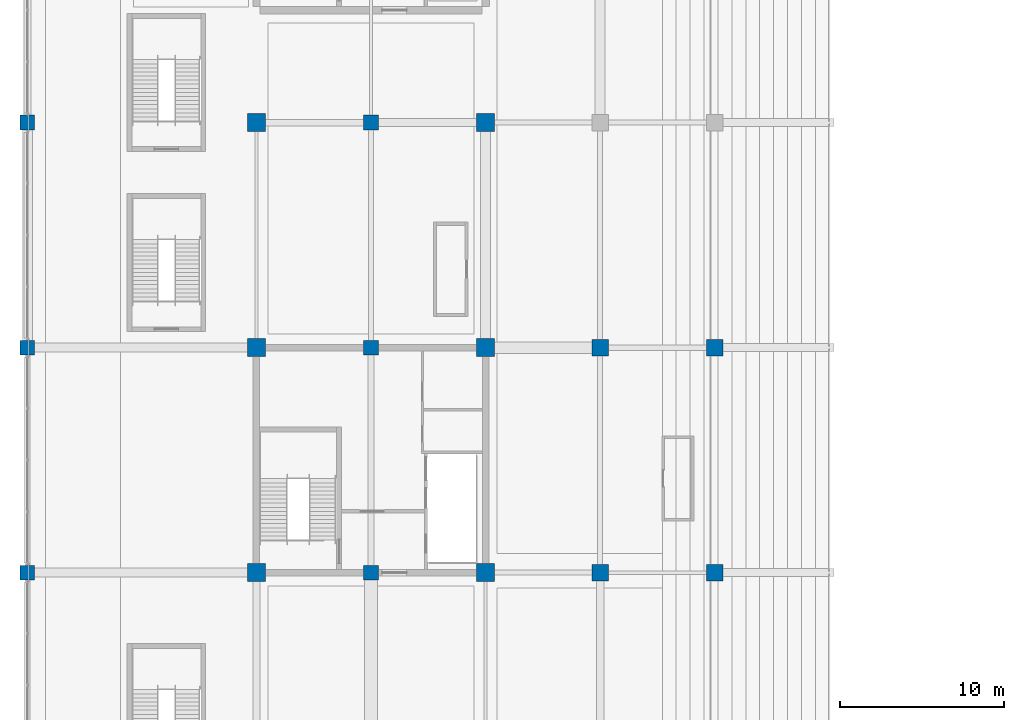
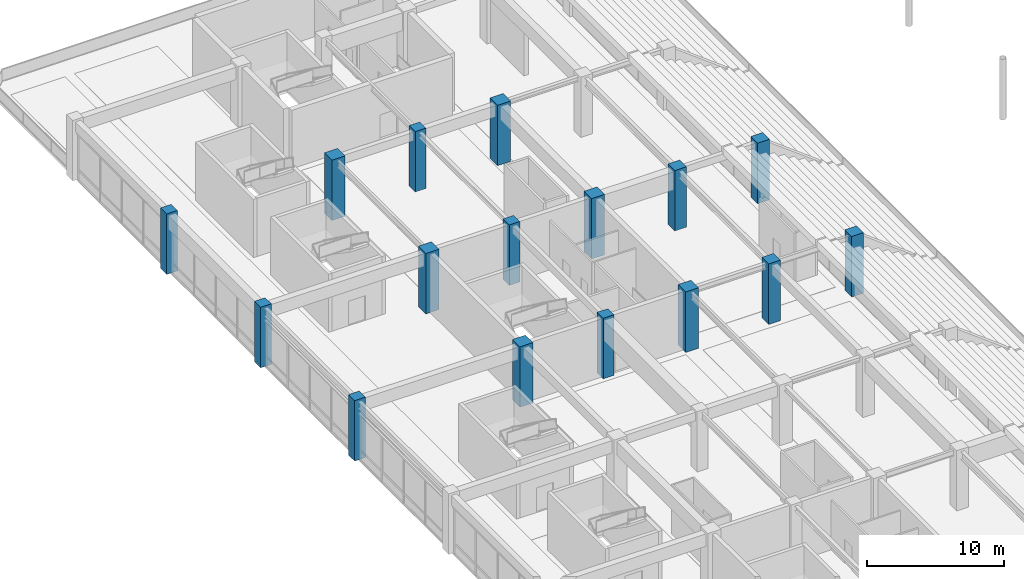
# One storey, part 7 of 117: 16 columns.
"""IFC4 building model written with IfcOpenShell, lengths in metres."""

import ifcopenshell
import ifcopenshell.guid

model = None  # the IFC model being written
_history = None  # IfcOwnerHistory: only IFC2X3 demands one
_inside = {}  # id of a spatial element -> (the spatial element, [elements in it])
_under = {}  # id of a project, library or spatial element -> (it, [spatial elements below it])
_declared = {}  # id of a project -> (the project, [libraries it declares])
_typed = {}  # id of a type object -> (the type object, [elements of that type])
_made_of = {}  # id of a material, layer set ... -> (it, [elements and type objects made of it])


def new_model(schema):
    """Start an empty IFC model of exactly this schema.

    Asked for "IFC4X3", IfcOpenShell would pick the latest addendum, in which some entities
    have other attributes; the version numbers below select the first issue.
    IFC2X3 requires an IfcOwnerHistory on every rooted entity: one is made here for all.
    """
    global model, _history
    if schema == "IFC4X3":
        model = ifcopenshell.file(schema_version=(4, 3, 0, 0))
    else:
        model = ifcopenshell.file(schema=schema)
    _inside.clear()
    _under.clear()
    _declared.clear()
    _typed.clear()
    _made_of.clear()
    _history = None
    if model.schema == "IFC2X3":
        org = make("IfcOrganization", Name="unknown")
        user = make(
            "IfcPersonAndOrganization",
            ThePerson=make("IfcPerson", FamilyName="unknown"),
            TheOrganization=org,
        )
        app = make(
            "IfcApplication",
            ApplicationDeveloper=org,
            Version="unknown",
            ApplicationFullName="unknown",
            ApplicationIdentifier="unknown",
        )
        _history = make(
            "IfcOwnerHistory",
            OwningUser=user,
            OwningApplication=app,
            ChangeAction="ADDED",
            CreationDate=0,
        )
    return model


def make(cls, **values):
    """One entity of the class cls with the attributes given. An attribute that is None is left unset."""
    return model.create_entity(
        cls, **{name: value for name, value in values.items() if value is not None}
    )


def rooted(cls, **values):
    """An entity with a GlobalId (a new one), such as an element, a storey or a relation."""
    return make(cls, GlobalId=ifcopenshell.guid.new(), OwnerHistory=_history, **values)


def si_unit(unit_type, name, prefix=None):
    """IfcSIUnit, for example si_unit("LENGTHUNIT", "METRE", prefix="MILLI")."""
    return make("IfcSIUnit", UnitType=unit_type, Prefix=prefix, Name=name)


def assignment(units):
    """IfcUnitAssignment: the units of a project."""
    return None if units is None else make("IfcUnitAssignment", Units=units)


def point(xyz):
    """IfcCartesianPoint."""
    return None if xyz is None else make("IfcCartesianPoint", Coordinates=xyz)


def direction(xyz):
    """IfcDirection."""
    return None if xyz is None else make("IfcDirection", DirectionRatios=xyz)


def frame(location, z_axis=None, x_axis=None):
    """IfcAxis2Placement3D, a coordinate frame: its origin and axes. An axis left out is left unset."""
    return make(
        "IfcAxis2Placement3D",
        Location=point(location),
        Axis=direction(z_axis),
        RefDirection=direction(x_axis),
    )


def frame_2d(location, x_axis=None):
    """IfcAxis2Placement2D, a coordinate frame in the plane: its origin and x axis."""
    return make(
        "IfcAxis2Placement2D", Location=point(location), RefDirection=direction(x_axis)
    )


def origin():
    """The frame at (0, 0, 0) with its axes left unset."""
    return frame((0.0, 0.0, 0.0))


def origin_2d():
    """The frame at (0, 0) in the plane with its x axis left unset."""
    return frame_2d((0.0, 0.0))


def place(relative_to, where):
    """IfcLocalPlacement: puts the frame where relative to a parent placement (None: the world)."""
    return make(
        "IfcLocalPlacement", PlacementRelTo=relative_to, RelativePlacement=where
    )


def context(
    kind, dimensions, precision=None, world=None, true_north=None, identifier=None
):
    """IfcGeometricRepresentationContext, for example the 3D "Model" context."""
    return make(
        "IfcGeometricRepresentationContext",
        ContextIdentifier=identifier,
        ContextType=kind,
        CoordinateSpaceDimension=dimensions,
        Precision=precision,
        WorldCoordinateSystem=world,
        TrueNorth=true_north,
    )


def subcontext(parent, identifier, kind, view, scale=None):
    """IfcGeometricRepresentationSubContext, for example "Body" below "Model"."""
    return make(
        "IfcGeometricRepresentationSubContext",
        ContextIdentifier=identifier,
        ContextType=kind,
        ParentContext=parent,
        TargetScale=scale,
        TargetView=view,
    )


def project(units=None, contexts=None):
    """IfcProject with its units and contexts."""
    return rooted(
        "IfcProject",
        Name="project",
        RepresentationContexts=contexts,
        UnitsInContext=assignment(units),
    )


def spatial(cls, under=None, at=None, **own):
    """A site, building, storey or space (cls), placed at a placement, below another one or the project."""
    s = rooted(cls, ObjectPlacement=at, **own)
    if under is not None:
        _under.setdefault(under.id(), (under, []))[1].append(s)
    return s


def profile(cls, at=None, kind="AREA", **sizes):
    """A parametric profile (cls). Its sizes go by their IFC names, for example OverallWidth=200.0."""
    return make(cls, ProfileType=kind, Position=at, **sizes)


def rectangle(**sizes):
    """IfcRectangleProfileDef."""
    return profile("IfcRectangleProfileDef", **sizes)


def extrude(swept, where, along, depth):
    """IfcExtrudedAreaSolid: the profile swept, set in the frame where, extruded along a direction by depth."""
    return make(
        "IfcExtrudedAreaSolid",
        SweptArea=swept,
        Position=where,
        ExtrudedDirection=direction(along),
        Depth=depth,
    )


def shape(context_of_items, identifier, shape_type, items):
    """IfcShapeRepresentation: the items that make up one representation, for example the "Body"."""
    return make(
        "IfcShapeRepresentation",
        ContextOfItems=context_of_items,
        RepresentationIdentifier=identifier,
        RepresentationType=shape_type,
        Items=items,
    )


def material(Name=None, Category=None):
    """IfcMaterial."""
    return make("IfcMaterial", Name=Name, Category=Category)


def material_profile(
    of_material, cross_section, Name=None, Category=None, Priority=None
):
    """IfcMaterialProfile: a cross section and its material."""
    return make(
        "IfcMaterialProfile",
        Name=Name,
        Material=of_material,
        Profile=cross_section,
        Priority=Priority,
        Category=Category,
    )


def profile_set(profiles, Name=None, composite=None):
    """IfcMaterialProfileSet."""
    return make(
        "IfcMaterialProfileSet",
        Name=Name,
        MaterialProfiles=profiles,
        CompositeProfile=composite,
    )


def made_of(thing, what):
    """Note that an element or type object is made of a material, layer set ...; save() writes the relation."""
    if what is not None:
        _made_of.setdefault(what.id(), (what, []))[1].append(thing)
    return thing


def type_object(cls, material=None, **own):
    """A type object (cls), such as IfcWallType, which elements share."""
    return made_of(rooted(cls, **own), material)


def element(
    cls,
    number,
    at=None,
    inside=None,
    cuts=None,
    type_object=None,
    material=None,
    context=None,
    identifier="Body",
    shape_type=None,
    held_by="IfcProductDefinitionShape",
    body=None,
    shapes=None,
    **own,
):
    """One element of the class cls, such as IfcWall. Its Tag is "e" and its number.

    at: its placement. inside: the storey or other place that contains it. cuts: it is an
    opening in that element (IfcRelVoidsElement). A single representation is given by context,
    identifier, shape_type and body (its items); several are given by shapes. held_by: the class
    of the entity that holds the representations. save() writes the other relations.
    """
    e = rooted(cls, Tag="e%d" % number, ObjectPlacement=at, **own)
    if body is not None:
        shapes = [shape(context, identifier, shape_type, body)]
    if shapes is not None:
        e.Representation = make(held_by, Representations=shapes)
    if inside is not None:
        _inside.setdefault(inside.id(), (inside, []))[1].append(e)
    if cuts is not None:
        rooted(
            "IfcRelVoidsElement", RelatingBuildingElement=cuts, RelatedOpeningElement=e
        )
    if type_object is not None:
        _typed.setdefault(type_object.id(), (type_object, []))[1].append(e)
    return made_of(e, material)


def aggregate(whole, parts):
    """IfcRelAggregates: a whole, such as a stair, and the parts it consists of."""
    return rooted("IfcRelAggregates", RelatingObject=whole, RelatedObjects=parts)


def save(model, path):
    """Write the relations noted so far, then the file.

    IfcRelAggregates (storeys below a building ...), IfcRelContainedInSpatialStructure (elements
    in a storey), IfcRelDefinesByType, IfcRelAssociatesMaterial and IfcRelDeclares: one each for
    every whole, place, type object, material and project.
    """
    for whole, parts in _under.values():
        aggregate(whole, parts)
    for where, things in _inside.values():
        rooted(
            "IfcRelContainedInSpatialStructure",
            RelatedElements=things,
            RelatingStructure=where,
        )
    for kind, things in _typed.values():
        rooted("IfcRelDefinesByType", RelatedObjects=things, RelatingType=kind)
    for what, things in _made_of.values():
        rooted("IfcRelAssociatesMaterial", RelatedObjects=things, RelatingMaterial=what)
    for by, libraries in _declared.values():
        rooted("IfcRelDeclares", RelatingContext=by, RelatedDefinitions=libraries)
    model.write(path)


model = new_model("IFC4")

# Units and contexts
model_context = context("Model", 3, precision=1e-05, world=origin(), true_north=direction((0.0, 1.0)))
body_context = subcontext(model_context, "Body", "Model", "MODEL_VIEW")
ifc_project = project(units=[si_unit("LENGTHUNIT", "METRE"), si_unit("AREAUNIT", "SQUARE_METRE"), si_unit("VOLUMEUNIT", "CUBIC_METRE"), si_unit("PLANEANGLEUNIT", "RADIAN"), si_unit("MASSUNIT", "GRAM", prefix="KILO")], contexts=[model_context])

# Site, building, storey
site_placement = place(None, origin())
site = spatial("IfcSite", under=ifc_project, at=site_placement, CompositionType="ELEMENT")
building_placement = place(site_placement, origin())
building = spatial("IfcBuilding", under=site, at=building_placement, Name="Linyun Crest Stadium", CompositionType="ELEMENT")
storey_placement = place(building_placement, frame((0.0, 0.0, 6.0)))
storey = spatial("IfcBuildingStorey", under=building, at=storey_placement, Name="L02", CompositionType="ELEMENT", Elevation=6.0)

# Columns
ifc_material_1 = material(Name="Concrete C50", Category="concrete")
ifc_material_profile_1 = material_profile(ifc_material_1, rectangle(XDim=0.89990234375, YDim=0.89990234375, at=origin_2d()), Name="RC 900x900")
ifc_profile_set_1 = profile_set([ifc_material_profile_1], Name="Concrete C50")
column_type_1 = type_object("IfcColumnType", Name="C04", PredefinedType="COLUMN", material=ifc_profile_set_1)
for number, where, z_axis, x_axis, name in (
    (1, (-98.0, 2.125, 0.0), (0.0, 0.0, 1.0), (1.0, 0.0, 0.0), "Column C04 L02 27"),
    (2, (-98.0, 15.875, 0.0), (0.0, 0.0, 1.0), (1.0, 0.0, 0.0), "Column C04 L02 33"),
    (3, (-98.0, 29.625, 0.0), (0.0, 0.0, 1.0), (1.0, 0.0, 0.0), "Column C04 L02 39"),
    (4, (-77.0, 2.125, 0.0), (0.0, 0.0, 1.0), (1.0, 0.0, 0.0), "Column C04 L02 127"),
    (5, (-77.0, 15.875, 0.0), (0.0, 0.0, 1.0), (1.0, 0.0, 0.0), "Column C04 L02 132"),
    (6, (-77.0, 29.625, 0.0), (0.0, 0.0, 1.0), (1.0, 0.0, 0.0), "Column C04 L02 137"),
):
    element("IfcColumn", number, at=place(storey_placement, frame(where, z_axis=z_axis, x_axis=x_axis)), inside=storey, type_object=column_type_1, Name=name, PredefinedType="COLUMN", context=body_context, shape_type="SweptSolid", body=[
        extrude(rectangle(XDim=0.89990234375, YDim=0.89990234375, at=origin_2d()), origin(), (0.0, 0.0, 1.0), 5.39794921875),
    ])
ifc_material_2 = material(Name="Concrete C50", Category="concrete")
ifc_material_profile_2 = material_profile(ifc_material_2, rectangle(XDim=1.0, YDim=1.0, at=origin_2d()), Name="RC 1000x1000")
ifc_profile_set_2 = profile_set([ifc_material_profile_2], Name="Concrete C50")
column_type_2 = type_object("IfcColumnType", Name="C05", PredefinedType="COLUMN", material=ifc_profile_set_2)
for number, where, z_axis, x_axis, name in (
    (7, (-63.0, 2.125, 0.0), (0.0, 0.0, 1.0), (1.0, 0.0, 0.0), "Column C05 L02 223"),
    (8, (-63.0, 15.875, 0.0), (0.0, 0.0, 1.0), (1.0, 0.0, 0.0), "Column C05 L02 228"),
    (9, (-56.0, 2.125, 0.0), (0.0, 0.0, 1.0), (1.0, 0.0, 0.0), "Column C05 L02 259"),
    (10, (-56.0, 15.875, 0.0), (0.0, 0.0, 1.0), (1.0, 0.0, 0.0), "Column C05 L02 263"),
):
    element("IfcColumn", number, at=place(storey_placement, frame(where, z_axis=z_axis, x_axis=x_axis)), inside=storey, type_object=column_type_2, Name=name, PredefinedType="COLUMN", context=body_context, shape_type="SweptSolid", body=[
        extrude(rectangle(XDim=1.0, YDim=1.0, at=origin_2d()), origin(), (0.0, 0.0, 1.0), 5.39794921875),
    ])
ifc_material_3 = material(Name="Concrete C50", Category="concrete")
ifc_material_profile_3 = material_profile(ifc_material_3, rectangle(XDim=1.10009765625, YDim=1.10009765625, at=origin_2d()), Name="RC 1100x1100")
ifc_profile_set_3 = profile_set([ifc_material_profile_3], Name="Concrete C50")
column_type_3 = type_object("IfcColumnType", Name="C06", PredefinedType="COLUMN", material=ifc_profile_set_3)
for number, where, z_axis, x_axis, name in (
    (11, (-84.0, 2.125, 0.0), (0.0, 0.0, 1.0), (1.0, 0.0, 0.0), "Column C06 L02 79"),
    (12, (-84.0, 15.875, 0.0), (0.0, 0.0, 1.0), (1.0, 0.0, 0.0), "Column C06 L02 86"),
    (13, (-84.0, 29.625, 0.0), (0.0, 0.0, 1.0), (1.0, 0.0, 0.0), "Column C06 L02 93"),
    (14, (-70.0, 2.125, 0.0), (0.0, 0.0, 1.0), (1.0, 0.0, 0.0), "Column C06 L02 175"),
    (15, (-70.0, 15.875, 0.0), (0.0, 0.0, 1.0), (1.0, 0.0, 0.0), "Column C06 L02 182"),
    (16, (-70.0, 29.625, 0.0), (0.0, 0.0, 1.0), (1.0, 0.0, 0.0), "Column C06 L02 189"),
):
    element("IfcColumn", number, at=place(storey_placement, frame(where, z_axis=z_axis, x_axis=x_axis)), inside=storey, type_object=column_type_3, Name=name, PredefinedType="COLUMN", context=body_context, shape_type="SweptSolid", body=[
        extrude(rectangle(XDim=1.10009765625, YDim=1.10009765625, at=origin_2d()), origin(), (0.0, 0.0, 1.0), 5.39794921875),
    ])

save(model, "model.ifc")
